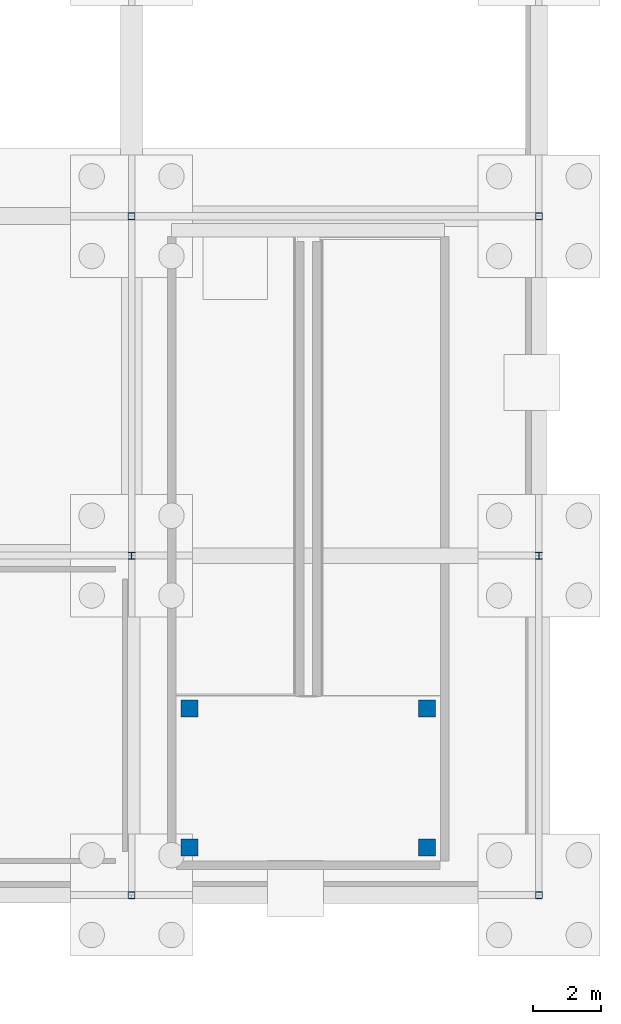
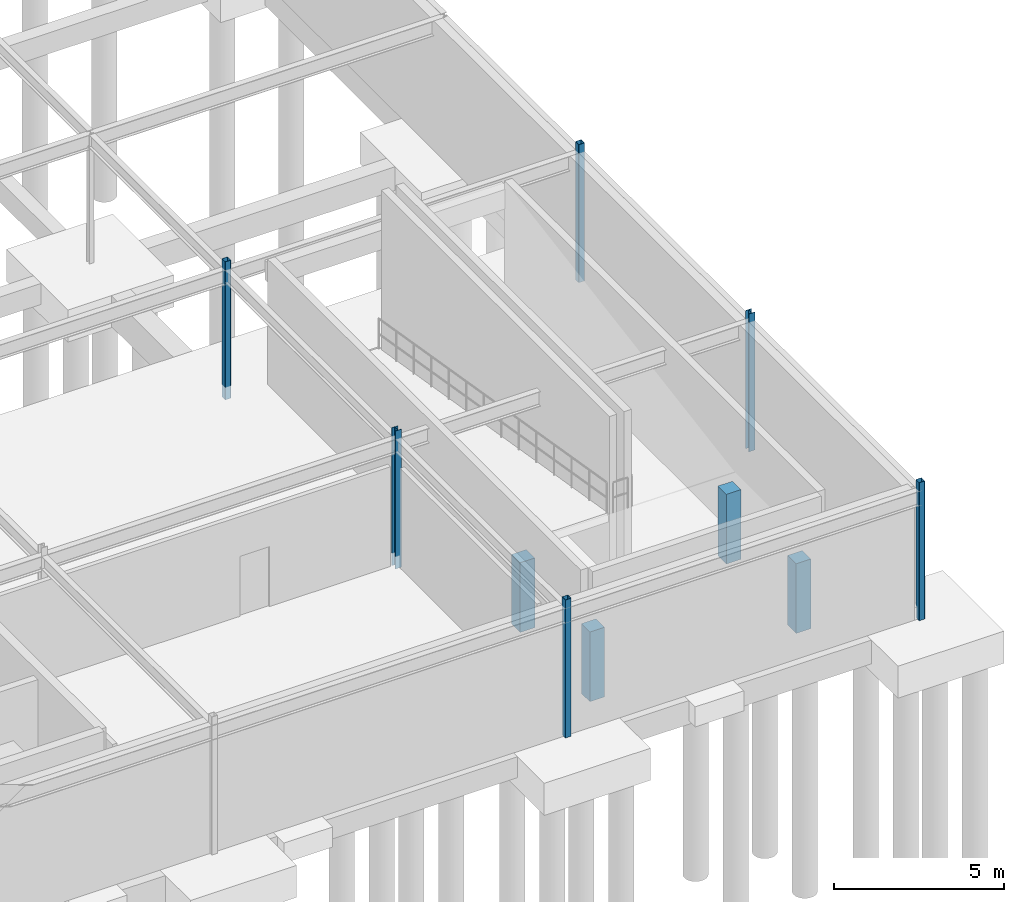
# One storey, part 48 of 75: 10 columns.
"""IFC4 building model written with IfcOpenShell, lengths in metres."""

from ifc_helpers import new_model, si_unit, derived_unit, direction, frame, origin, origin_2d_with_axis, place, context, subcontext, project, spatial, rectangle, hollow_rectangle, i_section, extrude, material, material_profile, profile_set, type_object, element, save


model = new_model("IFC4")

# Units and contexts
model_context = context("Model", 3, precision=1e-05, world=origin(), true_north=direction((0.0, 1.0)))
body_context = subcontext(model_context, "Body", "Model", "MODEL_VIEW")
ifc_project = project(units=[si_unit("LENGTHUNIT", "METRE"), si_unit("AREAUNIT", "SQUARE_METRE"), si_unit("VOLUMEUNIT", "CUBIC_METRE"), si_unit("PLANEANGLEUNIT", "RADIAN"), si_unit("MASSUNIT", "GRAM", prefix="KILO"), derived_unit("THERMALTRANSMITTANCEUNIT", [(si_unit("POWERUNIT", "WATT"), 1), (si_unit("LENGTHUNIT", "METRE"), -2), (si_unit("THERMODYNAMICTEMPERATUREUNIT", "KELVIN"), -1)])], contexts=[model_context])

# Site, building, storey
site_placement = place(None, origin())
site = spatial("IfcSite", under=ifc_project, at=site_placement, CompositionType="ELEMENT")
building_placement = place(site_placement, origin())
building = spatial("IfcBuilding", under=site, at=building_placement, Name="Cinnabar Yard Market Hall", CompositionType="ELEMENT")
storey_placement = place(building_placement, frame((0.0, 0.0, -4.5)))
storey = spatial("IfcBuildingStorey", under=building, at=storey_placement, Name="B1", CompositionType="ELEMENT", Elevation=-4.5)

# Columns
ifc_material_1 = material(Name="Steel Grade 300 (300 MPa)", Category="steel")
ifc_material_profile_1 = material_profile(ifc_material_1, i_section(OverallWidth=0.205078125, OverallDepth=0.209716796875, WebThickness=0.00927734375, FlangeThickness=0.01416015625, FilletRadius=0.011474609375, at=origin_2d_with_axis()), Name="200UC59.5")
ifc_profile_set_1 = profile_set([ifc_material_profile_1], Name="Steel Grade 300 (300 MPa)")
column_type_1 = type_object("IfcColumnType", Name="COL-C12", PredefinedType="COLUMN", material=ifc_profile_set_1)
for number, where, z_axis, x_axis, name in (
    (1, (202.0, 24.0, -0.449951171875), (0.0, 0.0, 1.0), (1.0, 0.0, 0.0), "Dock Column V4-03-02 B1"),
    (2, (214.0, 24.0, -0.449951171875), (0.0, 0.0, 1.0), (1.0, 0.0, 0.0), "Dock Column V4-04-02 B1"),
):
    element("IfcColumn", number, at=place(storey_placement, frame(where, z_axis=z_axis, x_axis=x_axis)), inside=storey, type_object=column_type_1, Name=name, PredefinedType="COLUMN", context=body_context, shape_type="SweptSolid", body=[
        extrude(i_section(OverallWidth=0.205078125, OverallDepth=0.209716796875, WebThickness=0.00927734375, FlangeThickness=0.01416015625, FilletRadius=0.011474609375, at=origin_2d_with_axis()), origin(), (0.0, 0.0, 1.0), 4.949951171875),
    ])
ifc_material_2 = material(Name="Cold-formed steel C350L0", Category="steel")
ifc_material_profile_2 = material_profile(ifc_material_2, hollow_rectangle(XDim=0.199951171875, YDim=0.199951171875, WallThickness=0.008056640625, InnerFilletRadius=0.008056640625, OuterFilletRadius=0.01611328125, at=origin_2d_with_axis()), Name="200x200x8.0SHS")
ifc_profile_set_2 = profile_set([ifc_material_profile_2], Name="Cold-formed steel C350L0")
column_type_2 = type_object("IfcColumnType", Name="COL-C15", PredefinedType="COLUMN", material=ifc_profile_set_2)
for number, where, z_axis, x_axis, name in (
    (3, (202.0, 14.0, -0.449951171875), (0.0, 0.0, 1.0), (1.0, 0.0, 0.0), "Dock Column V4-03-01 B1"),
    (4, (202.0, 34.0, -0.449951171875), (0.0, 0.0, 1.0), (1.0, 0.0, 0.0), "Dock Column V4-03-03 B1"),
    (5, (214.0, 14.0, -0.449951171875), (0.0, 0.0, 1.0), (1.0, 0.0, 0.0), "Dock Column V4-04-01 B1"),
    (6, (214.0, 34.0, -0.449951171875), (0.0, 0.0, 1.0), (1.0, 0.0, 0.0), "Dock Column V4-04-03 B1"),
):
    element("IfcColumn", number, at=place(storey_placement, frame(where, z_axis=z_axis, x_axis=x_axis)), inside=storey, type_object=column_type_2, Name=name, PredefinedType="COLUMN", context=body_context, shape_type="SweptSolid", body=[
        extrude(hollow_rectangle(XDim=0.199951171875, YDim=0.199951171875, WallThickness=0.008056640625, InnerFilletRadius=0.008056640625, OuterFilletRadius=0.01611328125, at=origin_2d_with_axis()), origin(), (0.0, 0.0, 1.0), 4.949951171875),
    ])
ifc_material_3 = material(Name="Concrete 40 MPa", Category="concrete")
ifc_material_profile_3 = material_profile(ifc_material_3, rectangle(XDim=0.5, YDim=0.5, at=origin_2d_with_axis()), Name="RC-500x500")
ifc_profile_set_3 = profile_set([ifc_material_profile_3], Name="Concrete 40 MPa")
column_type_3 = type_object("IfcColumnType", Name="COL-RC1", PredefinedType="COLUMN", material=ifc_profile_set_3)
for number, where, z_axis, x_axis, name in (
    (7, (203.699951171875, 15.39990234375, -0.449951171875), (0.0, 0.0, 1.0), (1.0, 0.0, 0.0), "Vehicle Ramp Landing Support Column 1"),
    (8, (210.699951171875, 15.39990234375, -0.449951171875), (0.0, 0.0, 1.0), (1.0, 0.0, 0.0), "Vehicle Ramp Landing Support Column 2"),
    (9, (203.699951171875, 19.5, -0.449951171875), (0.0, 0.0, 1.0), (1.0, 0.0, 0.0), "Vehicle Ramp Landing Support Column 3"),
    (10, (210.699951171875, 19.5, -0.449951171875), (0.0, 0.0, 1.0), (1.0, 0.0, 0.0), "Vehicle Ramp Landing Support Column 4"),
):
    element("IfcColumn", number, at=place(storey_placement, frame(where, z_axis=z_axis, x_axis=x_axis)), inside=storey, type_object=column_type_3, Name=name, PredefinedType="COLUMN", context=body_context, shape_type="SweptSolid", body=[
        extrude(rectangle(XDim=0.5, YDim=0.5, at=origin_2d_with_axis()), origin(), (0.0, 0.0, 1.0), 2.5),
    ])

save(model, "model.ifc")
